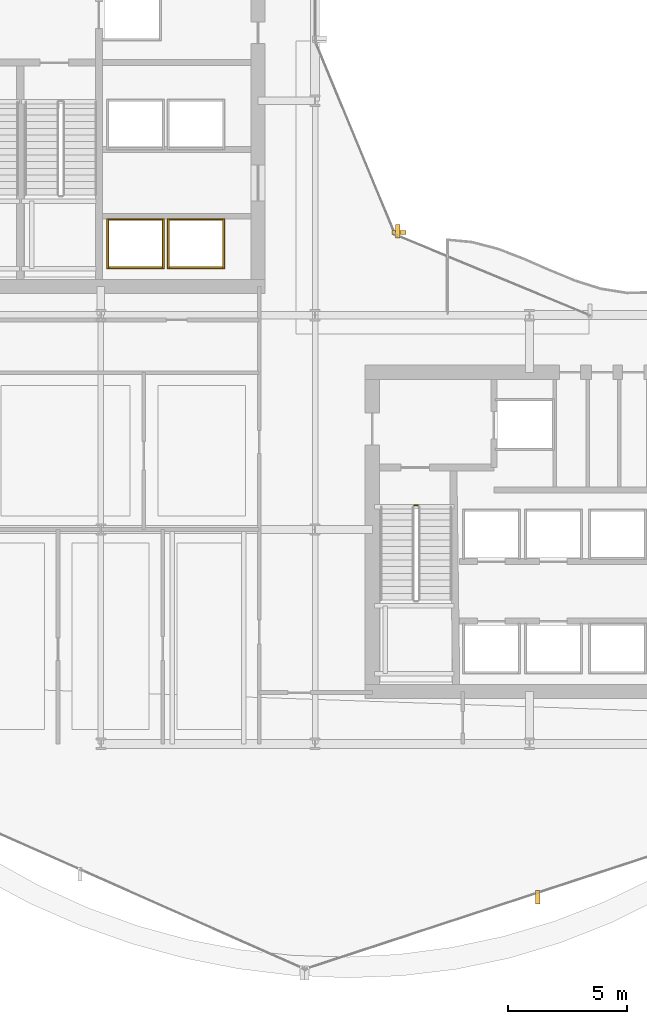
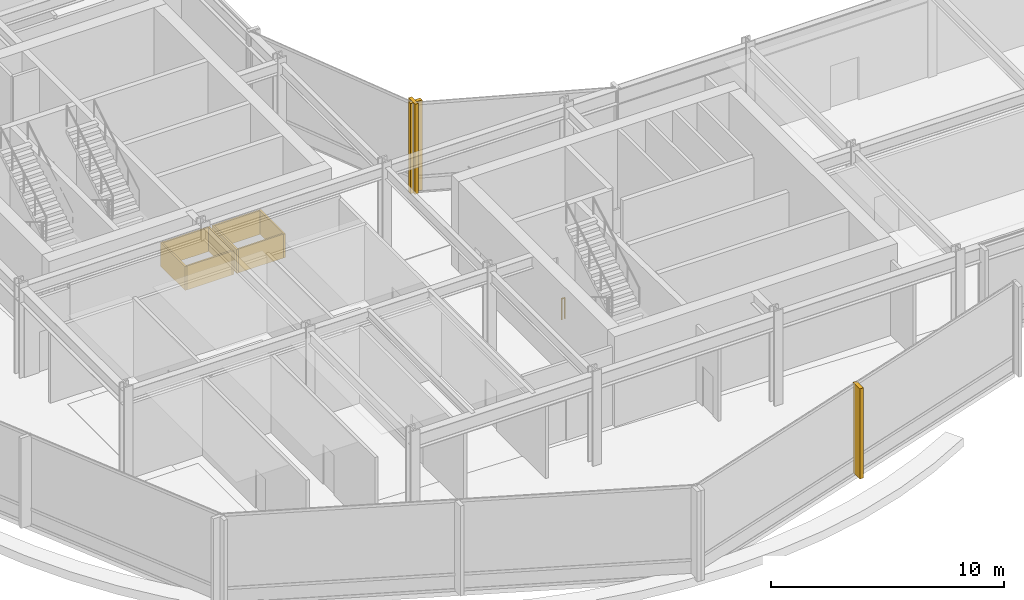
# One storey, part 34 of 39: 11 coverings, 1 railing.
"""IFC4 building model written with IfcOpenShell, lengths in metres."""

from ifc_helpers import new_model, si_unit, direction, frame, origin, origin_2d, place, context, subcontext, project, spatial, rectangle, circle, extrude, material, layer, layer_set, type_object, element, save


model = new_model("IFC4")

# Units and contexts
model_context = context("Model", 3, precision=1e-05, world=origin(), true_north=direction((0.0, 1.0)))
body_context = subcontext(model_context, "Body", "Model", "MODEL_VIEW")
ifc_project = project(units=[si_unit("LENGTHUNIT", "METRE"), si_unit("AREAUNIT", "SQUARE_METRE"), si_unit("VOLUMEUNIT", "CUBIC_METRE"), si_unit("PLANEANGLEUNIT", "RADIAN"), si_unit("MASSUNIT", "GRAM", prefix="KILO")], contexts=[model_context])

# Site, building, storey
site_placement = place(None, origin())
site = spatial("IfcSite", under=ifc_project, at=site_placement, CompositionType="ELEMENT")
building_placement = place(site_placement, origin())
building = spatial("IfcBuilding", under=site, at=building_placement, Name="Solvaryn Broadcast Tower", CompositionType="ELEMENT")
storey_placement = place(building_placement, frame((0.0, 0.0, 84.10009765625)))
storey = spatial("IfcBuildingStorey", under=building, at=storey_placement, Name="L20", CompositionType="ELEMENT", Elevation=84.10009765625)

# Coverings
ifc_material_1 = material(Name="Fire-Rated Gypsum Shaftwall Liner", Category="concrete")
ifc_layer_1 = layer(ifc_material_1, 0.080078125)
ifc_layer_set_1 = layer_set([ifc_layer_1], Name="CV-SHAFT-LINER")
covering_type_1 = type_object("IfcCoveringType", Name="CV-SHAFT-LINER", PredefinedType="CLADDING", material=ifc_layer_set_1)
for number, where, z_axis, x_axis, name in (
    (1, (19.449951171875, 31.014892578125, 0.0), (0.0, 0.0, 1.0), (1.0, 0.0, 0.0), "L20 PH1 Hoistway Shaft Liner North"),
    (2, (19.449951171875, 28.985107421875, 0.0), (0.0, 0.0, 1.0), (1.0, 0.0, 0.0), "L20 PH1 Hoistway Shaft Liner South"),
):
    element("IfcCovering", number, at=place(storey_placement, frame(where, z_axis=z_axis, x_axis=x_axis)), inside=storey, type_object=covering_type_1, Name=name, PredefinedType="CLADDING", context=body_context, shape_type="SweptSolid", body=[
        extrude(rectangle(XDim=2.409912109375, YDim=0.080078125, at=origin_2d()), origin(), (0.0, 0.0, 1.0), 1.25),
    ])
for number, where, z_axis, x_axis, name in (
    (3, (20.614990234375, 30.0, 0.0), (0.0, 0.0, 1.0), (1.0, 0.0, 0.0), "L20 PH1 Hoistway Shaft Liner East"),
    (4, (18.284912109375, 30.0, 0.0), (0.0, 0.0, 1.0), (1.0, 0.0, 0.0), "L20 PH1 Hoistway Shaft Liner West"),
):
    element("IfcCovering", number, at=place(storey_placement, frame(where, z_axis=z_axis, x_axis=x_axis)), inside=storey, type_object=covering_type_1, Name=name, PredefinedType="CLADDING", context=body_context, shape_type="SweptSolid", body=[
        extrude(rectangle(XDim=0.080078125, YDim=2.110107421875, at=origin_2d()), origin(), (0.0, 0.0, 1.0), 1.25),
    ])
for number, where, z_axis, x_axis, name in (
    (5, (22.0, 31.014892578125, 0.0), (0.0, 0.0, 1.0), (1.0, 0.0, 0.0), "L20 PH2 Hoistway Shaft Liner North"),
    (6, (22.0, 28.985107421875, 0.0), (0.0, 0.0, 1.0), (1.0, 0.0, 0.0), "L20 PH2 Hoistway Shaft Liner South"),
):
    element("IfcCovering", number, at=place(storey_placement, frame(where, z_axis=z_axis, x_axis=x_axis)), inside=storey, type_object=covering_type_1, Name=name, PredefinedType="CLADDING", context=body_context, shape_type="SweptSolid", body=[
        extrude(rectangle(XDim=2.409912109375, YDim=0.080078125, at=origin_2d()), origin(), (0.0, 0.0, 1.0), 1.25),
    ])
for number, where, z_axis, x_axis, name in (
    (7, (23.1650390625, 30.0, 0.0), (0.0, 0.0, 1.0), (1.0, 0.0, 0.0), "L20 PH2 Hoistway Shaft Liner East"),
    (8, (20.8349609375, 30.0, 0.0), (0.0, 0.0, 1.0), (1.0, 0.0, 0.0), "L20 PH2 Hoistway Shaft Liner West"),
):
    element("IfcCovering", number, at=place(storey_placement, frame(where, z_axis=z_axis, x_axis=x_axis)), inside=storey, type_object=covering_type_1, Name=name, PredefinedType="CLADDING", context=body_context, shape_type="SweptSolid", body=[
        extrude(rectangle(XDim=0.080078125, YDim=2.110107421875, at=origin_2d()), origin(), (0.0, 0.0, 1.0), 1.25),
    ])
ifc_material_2 = material(Name="Extruded Architectural Terracotta Fin", Category="masonry")
ifc_layer_2 = layer(ifc_material_2, 0.179931640625)
ifc_layer_set_2 = layer_set([ifc_layer_2], Name="CV-TC-FIN")
covering_type_2 = type_object("IfcCoveringType", Name="CV-TC-FIN", PredefinedType="USERDEFINED", material=ifc_layer_set_2)
for number, where, z_axis, x_axis, name in (
    (9, (36.34423828125, 2.554931640625, 0.0), (0.0, 0.0, 1.0), (1.0, 0.0, 0.0), "L20 Terracotta Vertical Fin FIN-L20-DR4-M01"),
    (10, (30.464599609375, 30.52294921875, 0.0), (0.0, 0.0, 1.0), (1.0, 0.0, 0.0), "L20 Terracotta Vertical Fin FIN-L20-CN1-M01"),
):
    element("IfcCovering", number, at=place(storey_placement, frame(where, z_axis=z_axis, x_axis=x_axis)), inside=storey, type_object=covering_type_2, Name=name, ObjectType="FIN", PredefinedType="USERDEFINED", context=body_context, shape_type="SweptSolid", body=[
        extrude(rectangle(XDim=0.179931640625, YDim=0.580078125, at=origin_2d()), origin(), (0.0, 0.0, 1.0), 4.719970703125),
    ])
covering_placement = place(storey_placement, frame((30.52294921875, 30.464599609375, 0.0), z_axis=(0.0, 0.0, 1.0), x_axis=(1.0, 0.0, 0.0)))
element("IfcCovering", 11, at=covering_placement, inside=storey, type_object=covering_type_2, Name="L20 Terracotta Vertical Fin FIN-L20-CN2-M00", ObjectType="FIN", PredefinedType="USERDEFINED", context=body_context, shape_type="SweptSolid", body=[
    extrude(rectangle(XDim=0.580078125, YDim=0.179931640625, at=origin_2d()), origin(), (0.0, 0.0, 1.0), 4.719970703125),
])

# Railing
ifc_material_3 = material(Name="Painted Steel Stair Well Guard", Category="steel")
railing_type = type_object("IfcRailingType", Name="RL-STAIR-GUARD", PredefinedType="BALUSTRADE", material=ifc_material_3)
railing_placement = place(storey_placement, frame((31.159912109375, 19.010009765625, 0.0)))
element("IfcRailing", 12, at=railing_placement, inside=storey, type_object=railing_type, Name="L20 ST3 stair guard 4", PredefinedType="BALUSTRADE", context=body_context, shape_type="SweptSolid", body=[
    extrude(circle(Radius=0.02392578125, at=origin_2d()), frame((0.0, 0.0, 1.076171875), z_axis=(1.0, 0.0, 0.0), x_axis=(0.0, 1.0, 0.0)), (0.0, 0.0, 1.0), 0.150146484375),
    extrude(circle(Radius=0.02099609375, at=origin_2d()), origin(), (0.0, 0.0, 1.0), 1.052001953125),
    extrude(circle(Radius=0.02099609375, at=origin_2d()), frame((0.150146484375, 0.0, 0.0)), (0.0, 0.0, 1.0), 1.052001953125),
])

save(model, "model.ifc")
